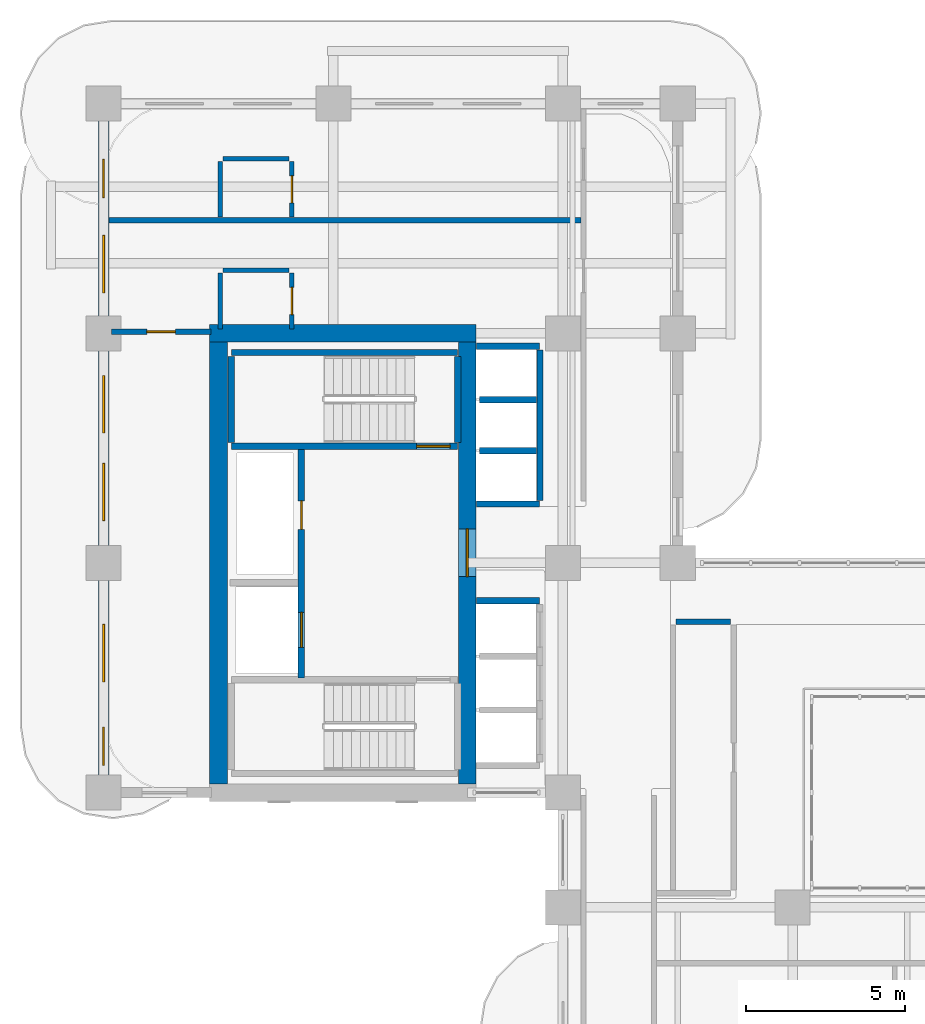
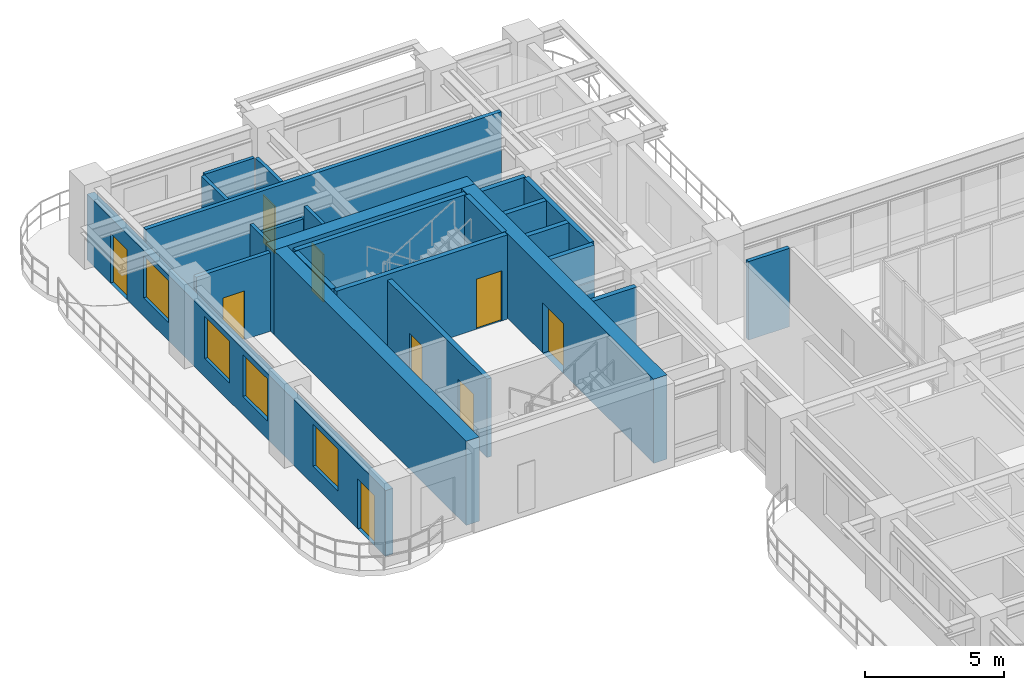
# One storey, part 16 of 22: 24 walls, 9 doors, 4 windows, 13 openings.
"""IFC4 building model written with IfcOpenShell, lengths in metres."""

from ifc_helpers import new_model, si_unit, derived_unit, direction, frame, frame_2d, origin, place, context, subcontext, project, spatial, rectangle, extrude, source, transform, mapped, material, layer, layer_set, type_object, type_shapes, element, fill, save


model = new_model("IFC4")

# Units and contexts
model_context = context("Model", 3, precision=1e-05, world=origin(), true_north=direction((0.0, 1.0)))
body_context = subcontext(model_context, "Body", "Model", "MODEL_VIEW")
ifc_project = project(units=[si_unit("LENGTHUNIT", "METRE"), si_unit("AREAUNIT", "SQUARE_METRE"), si_unit("VOLUMEUNIT", "CUBIC_METRE"), si_unit("PLANEANGLEUNIT", "RADIAN"), si_unit("MASSUNIT", "GRAM", prefix="KILO"), si_unit("THERMODYNAMICTEMPERATUREUNIT", "KELVIN"), si_unit("POWERUNIT", "WATT"), derived_unit("THERMALTRANSMITTANCEUNIT", [(si_unit("POWERUNIT", "WATT"), 1), (si_unit("AREAUNIT", "SQUARE_METRE"), -1), (si_unit("THERMODYNAMICTEMPERATUREUNIT", "KELVIN"), -1)])], contexts=[model_context])

# Site, building, storey
site_placement = place(None, origin())
site = spatial("IfcSite", under=ifc_project, at=site_placement, CompositionType="ELEMENT")
building_placement = place(site_placement, origin())
building = spatial("IfcBuilding", under=site, at=building_placement, Name="Zahravan Archway Hotel and Residences", CompositionType="ELEMENT")
storey_placement = place(building_placement, frame((0.0, 0.0, 84.199951171875)))
storey = spatial("IfcBuildingStorey", under=building, at=storey_placement, Name="L20", CompositionType="ELEMENT", Elevation=84.199951171875)

# Walls
ifc_material_1 = material(Name="Concrete C70/85", Category="concrete")
ifc_layer_1 = layer(ifc_material_1, 0.550048828125, Name="Concrete C70/85", Category="concrete")
ifc_layer_set_1 = layer_set([ifc_layer_1], Name="Concrete C70/85")
wall_type_1 = type_object("IfcWallType", Name="CW-CORE-550", PredefinedType="SHEAR", material=ifc_layer_set_1)
wall_1_placement = place(storey_placement, frame((3.324951171875, 39.60009765625, 0.0), z_axis=(0.0, 0.0, 1.0), x_axis=(1.0, 0.0, 0.0)))
element("IfcWall", 1, at=wall_1_placement, inside=storey, type_object=wall_type_1, Name="L20 Core B Shear N Wall 550 mm", PredefinedType="SHEAR", context=body_context, shape_type="SweptSolid", body=[
    extrude(rectangle(XDim=8.35009765625, YDim=0.550048828125, at=frame_2d((4.175048828125, 0.0))), origin(), (0.0, 0.0, 1.0), 3.699951171875),
])
wall_2_placement = place(storey_placement, frame((3.60009765625, 25.47509765625, 0.0), z_axis=(0.0, 0.0, 1.0), x_axis=(0.0, 1.0, 0.0)))
element("IfcWall", 2, at=wall_2_placement, inside=storey, type_object=wall_type_1, Name="L20 Core B Shear W Wall 550 mm", PredefinedType="SHEAR", context=body_context, shape_type="SweptSolid", body=[
    extrude(rectangle(XDim=13.849853515625, YDim=0.550048828125, at=frame_2d((6.9248046875, 0.0))), origin(), (0.0, 0.0, 1.0), 3.699951171875),
])

# Wall, opening, door
wall_3_placement = place(storey_placement, frame((11.39990234375, 25.47509765625, 0.0), z_axis=(0.0, 0.0, 1.0), x_axis=(0.0, 1.0, 0.0)))
wall_3 = element("IfcWall", 3, at=wall_3_placement, inside=storey, type_object=wall_type_1, Name="L20 Core B Shear E Wall 550 mm", PredefinedType="SHEAR", context=body_context, shape_type="SweptSolid", body=[
    extrude(rectangle(XDim=13.849853515625, YDim=0.550048828125, at=frame_2d((6.9248046875, 0.0))), origin(), (0.0, 0.0, 1.0), 3.699951171875),
])
opening_1_placement = place(wall_3_placement, frame((6.4951171875, 0.0, 0.0)))
opening_1 = element("IfcOpeningElement", 4, at=opening_1_placement, cuts=wall_3, Name="Opening FD-L1", PredefinedType="OPENING", context=body_context, shape_type="SweptSolid", body=[
    extrude(rectangle(XDim=1.5, YDim=2.199951171875, at=frame_2d((0.75, 1.10009765625))), frame((0.0, 0.28515625, 0.0), z_axis=(0.0, -1.0, 0.0), x_axis=(1.0, 0.0, 0.0)), (0.0, 0.0, 1.0), 0.570068359375),
])
ifc_material_2 = material(Name="Fire-Rated Painted Steel", Category="steel")
door_type_1 = type_object("IfcDoorType", Name="FD-LOBBY-1500", OperationType="DOUBLE_DOOR_SINGLE_SWING", PredefinedType="DOOR", material=ifc_material_2)
shared_shape_1 = source(origin(), body_context, "Body", "SweptSolid", [
    extrude(rectangle(XDim=1.5, YDim=2.199951171875, at=frame_2d((0.75, 1.10009765625))), frame((0.0, 0.02490234375, 0.0), z_axis=(0.0, -1.0, 0.0), x_axis=(1.0, 0.0, 0.0)), (0.0, 0.0, 1.0), 0.050048828125),
])
type_shapes(door_type_1, [shared_shape_1])
door_1_placement = place(opening_1_placement, origin())
door_1 = element("IfcDoor", 5, at=door_1_placement, inside=storey, type_object=door_type_1, Name="L20 Core B FSAE Lobby Door", OperationType="DOUBLE_DOOR_SINGLE_SWING", OverallHeight=2.199951171875, OverallWidth=1.5, PredefinedType="DOOR", context=body_context, shape_type="MappedRepresentation", body=[
    mapped(shared_shape_1, transform((0.0, 0.0, 0.0), scale=1.0)),
])
fill(opening_1, door_1)

# Wall, openings, doors, windows
ifc_material_3 = material(Name="Agra Buff Sandstone & Insulated Backup", Category="masonry")
ifc_layer_2 = layer(ifc_material_3, 0.320068359375, Name="Agra Buff Sandstone & Insulated Backup", Category="masonry")
ifc_layer_set_2 = layer_set([ifc_layer_2], Name="Agra Buff Sandstone & Insulated Backup")
wall_type_2 = type_object("IfcWallType", Name="EW-SAND-320", PredefinedType="SOLIDWALL", material=ifc_layer_set_2)
wall_4_placement = place(storey_placement, frame((0.0, 25.25, 0.0), z_axis=(0.0, 0.0, 1.0), x_axis=(0.0, 1.0, 0.0)))
wall_4 = element("IfcWall", 6, at=wall_4_placement, inside=storey, type_object=wall_type_2, Name="L20 Exterior Sandstone Wall WB-W", PredefinedType="SOLIDWALL", context=body_context, shape_type="SweptSolid", body=[
    extrude(rectangle(XDim=21.5, YDim=0.320068359375, at=frame_2d((10.75, 0.0))), origin(), (0.0, 0.0, 1.0), 2.885009765625),
])
opening_2_placement = place(wall_4_placement, frame((18.60693359375, 0.0, 0.0)))
opening_2 = element("IfcOpeningElement", 7, at=opening_2_placement, cuts=wall_4, Name="Opening ED-BL1", PredefinedType="OPENING", context=body_context, shape_type="SweptSolid", body=[
    extrude(rectangle(XDim=1.199951171875, YDim=2.199951171875, at=frame_2d((0.60009765625, 1.10009765625))), frame((0.0, 0.169921875, 0.0), z_axis=(0.0, -1.0, 0.0), x_axis=(1.0, 0.0, 0.0)), (0.0, 0.0, 1.0), 0.340087890625),
])
opening_3_placement = place(wall_4_placement, frame((0.800048828125, 0.0, 0.0)))
opening_3 = element("IfcOpeningElement", 8, at=opening_3_placement, cuts=wall_4, Name="Opening ED-BL1", PredefinedType="OPENING", context=body_context, shape_type="SweptSolid", body=[
    extrude(rectangle(XDim=1.199951171875, YDim=2.199951171875, at=frame_2d((0.60009765625, 1.10009765625))), frame((0.0, 0.169921875, 0.0), z_axis=(0.0, -1.0, 0.0), x_axis=(1.0, 0.0, 0.0)), (0.0, 0.0, 1.0), 0.340087890625),
])
opening_4_placement = place(wall_4_placement, frame((3.425048828125, 0.0, 0.800048828125)))
opening_4 = element("IfcOpeningElement", 9, at=opening_4_placement, cuts=wall_4, Name="Opening W-02", PredefinedType="OPENING", context=body_context, shape_type="SweptSolid", body=[
    extrude(rectangle(XDim=1.800048828125, YDim=1.85009765625, at=frame_2d((0.89990234375, 0.925048828125))), frame((0.0, 0.169921875, 0.0), z_axis=(0.0, -1.0, 0.0), x_axis=(1.0, 0.0, 0.0)), (0.0, 0.0, 1.0), 0.340087890625),
])
opening_5_placement = place(wall_4_placement, frame((8.47509765625, 0.0, 0.800048828125)))
opening_5 = element("IfcOpeningElement", 10, at=opening_5_placement, cuts=wall_4, Name="Opening W-02", PredefinedType="OPENING", context=body_context, shape_type="SweptSolid", body=[
    extrude(rectangle(XDim=1.800048828125, YDim=1.85009765625, at=frame_2d((0.89990234375, 0.925048828125))), frame((0.0, 0.169921875, 0.0), z_axis=(0.0, -1.0, 0.0), x_axis=(1.0, 0.0, 0.0)), (0.0, 0.0, 1.0), 0.340087890625),
])
opening_6_placement = place(wall_4_placement, frame((11.22509765625, 0.0, 0.800048828125)))
opening_6 = element("IfcOpeningElement", 11, at=opening_6_placement, cuts=wall_4, Name="Opening W-02", PredefinedType="OPENING", context=body_context, shape_type="SweptSolid", body=[
    extrude(rectangle(XDim=1.800048828125, YDim=1.85009765625, at=frame_2d((0.89990234375, 0.925048828125))), frame((0.0, 0.169921875, 0.0), z_axis=(0.0, -1.0, 0.0), x_axis=(1.0, 0.0, 0.0)), (0.0, 0.0, 1.0), 0.340087890625),
])
opening_7_placement = place(wall_4_placement, frame((15.62109375, 0.0, 0.800048828125)))
opening_7 = element("IfcOpeningElement", 12, at=opening_7_placement, cuts=wall_4, Name="Opening W-02", PredefinedType="OPENING", context=body_context, shape_type="SweptSolid", body=[
    extrude(rectangle(XDim=1.800048828125, YDim=1.85009765625, at=frame_2d((0.89990234375, 0.925048828125))), frame((0.0, 0.169921875, 0.0), z_axis=(0.0, -1.0, 0.0), x_axis=(1.0, 0.0, 0.0)), (0.0, 0.0, 1.0), 0.340087890625),
])
ifc_material_4 = material(Name="Bronze-Anodized Glazed Aluminium", Category="aluminium")
door_type_2 = type_object("IfcDoorType", Name="ED-BALC-1200", OperationType="SLIDING_TO_LEFT", PredefinedType="DOOR", material=ifc_material_4)
shared_shape_2 = source(origin(), body_context, "Body", "SweptSolid", [
    extrude(rectangle(XDim=1.199951171875, YDim=2.199951171875, at=frame_2d((0.60009765625, 1.10009765625))), frame((0.0, 0.02490234375, 0.0), z_axis=(0.0, -1.0, 0.0), x_axis=(1.0, 0.0, 0.0)), (0.0, 0.0, 1.0), 0.050048828125),
])
type_shapes(door_type_2, [shared_shape_2])
door_2_placement = place(opening_2_placement, origin())
door_2 = element("IfcDoor", 13, at=door_2_placement, inside=storey, type_object=door_type_2, Name="L20 Outdoor Access Sliding Door (SLB-BAL-L20-NB)", OperationType="SLIDING_TO_LEFT", OverallHeight=2.199951171875, OverallWidth=1.199951171875, PredefinedType="DOOR", context=body_context, shape_type="MappedRepresentation", body=[
    mapped(shared_shape_2, transform((0.0, 0.0, 0.0), scale=1.0)),
])
fill(opening_2, door_2)
door_3_placement = place(opening_3_placement, origin())
door_3 = element("IfcDoor", 14, at=door_3_placement, inside=storey, type_object=door_type_2, Name="L20 Outdoor Access Sliding Door (SLB-BAL-L20-WB)", OperationType="SLIDING_TO_LEFT", OverallHeight=2.199951171875, OverallWidth=1.199951171875, PredefinedType="DOOR", context=body_context, shape_type="MappedRepresentation", body=[
    mapped(shared_shape_2, transform((0.0, 0.0, 0.0), scale=1.0)),
])
fill(opening_3, door_3)
ifc_material_5 = material(Name="Bronze-Anodized Thermal-Break Aluminium & Low-E Glass", Category="aluminium")
window_type = type_object("IfcWindowType", Name="WIN-TWR-1800", PartitioningType="DOUBLE_PANEL_VERTICAL", PredefinedType="WINDOW", material=ifc_material_5)
shared_shape_3 = source(origin(), body_context, "Body", "SweptSolid", [
    extrude(rectangle(XDim=1.800048828125, YDim=1.85009765625, at=frame_2d((0.89990234375, 0.925048828125))), frame((0.0, 0.030029296875, 0.0), z_axis=(0.0, -1.0, 0.0), x_axis=(1.0, 0.0, 0.0)), (0.0, 0.0, 1.0), 0.06005859375),
])
type_shapes(window_type, [shared_shape_3])
window_1_placement = place(opening_4_placement, origin())
window_1 = element("IfcWindow", 15, at=window_1_placement, inside=storey, type_object=window_type, Name="L20 Loggia Window 29", OverallHeight=1.85009765625, OverallWidth=1.800048828125, PartitioningType="DOUBLE_PANEL_VERTICAL", PredefinedType="WINDOW", context=body_context, shape_type="MappedRepresentation", body=[
    mapped(shared_shape_3, transform((0.0, 0.0, 0.0), scale=1.0)),
])
fill(opening_4, window_1)
window_2_placement = place(opening_5_placement, origin())
window_2 = element("IfcWindow", 16, at=window_2_placement, inside=storey, type_object=window_type, Name="L20 Loggia Window 30", OverallHeight=1.85009765625, OverallWidth=1.800048828125, PartitioningType="DOUBLE_PANEL_VERTICAL", PredefinedType="WINDOW", context=body_context, shape_type="MappedRepresentation", body=[
    mapped(shared_shape_3, transform((0.0, 0.0, 0.0), scale=1.0)),
])
fill(opening_5, window_2)
window_3_placement = place(opening_6_placement, origin())
window_3 = element("IfcWindow", 17, at=window_3_placement, inside=storey, type_object=window_type, Name="L20 Loggia Window 31", OverallHeight=1.85009765625, OverallWidth=1.800048828125, PartitioningType="DOUBLE_PANEL_VERTICAL", PredefinedType="WINDOW", context=body_context, shape_type="MappedRepresentation", body=[
    mapped(shared_shape_3, transform((0.0, 0.0, 0.0), scale=1.0)),
])
fill(opening_6, window_3)
window_4_placement = place(opening_7_placement, origin())
window_4 = element("IfcWindow", 18, at=window_4_placement, inside=storey, type_object=window_type, Name="L20 Loggia Window 32", OverallHeight=1.85009765625, OverallWidth=1.800048828125, PartitioningType="DOUBLE_PANEL_VERTICAL", PredefinedType="WINDOW", context=body_context, shape_type="MappedRepresentation", body=[
    mapped(shared_shape_3, transform((0.0, 0.0, 0.0), scale=1.0)),
])
fill(opening_7, window_4)

# Wall, openings, doors
ifc_material_6 = material(Name="Fire-Rated Gypsum & Concrete Block", Category="concrete")
ifc_layer_3 = layer(ifc_material_6, 0.199951171875, Name="Fire-Rated Gypsum & Concrete Block", Category="concrete")
ifc_layer_set_3 = layer_set([ifc_layer_3], Name="Fire-Rated Gypsum & Concrete Block")
wall_type_3 = type_object("IfcWallType", Name="PW-SHAFT-200", PredefinedType="PARTITIONING", material=ifc_layer_set_3)
wall_5_placement = place(storey_placement, frame((6.199951171875, 28.7900390625, 0.0), z_axis=(0.0, 0.0, 1.0), x_axis=(0.0, 1.0, 0.0)))
wall_5 = element("IfcWall", 19, at=wall_5_placement, inside=storey, type_object=wall_type_3, Name="L20 Partition CB-FL3E", PredefinedType="PARTITIONING", context=body_context, shape_type="SweptSolid", body=[
    extrude(rectangle(XDim=7.219970703125, YDim=0.199951171875, at=frame_2d((3.60986328125, 0.0))), origin(), (0.0, 0.0, 1.0), 3.449951171875),
])
opening_8_placement = place(wall_5_placement, frame((4.659912109375, 0.0, 0.0)))
opening_8 = element("IfcOpeningElement", 20, at=opening_8_placement, cuts=wall_5, Name="Opening FD-R1", PredefinedType="OPENING", context=body_context, shape_type="SweptSolid", body=[
    extrude(rectangle(XDim=0.89990234375, YDim=2.10009765625, at=frame_2d((0.449951171875, 1.050048828125))), frame((0.0, 0.10986328125, 0.0), z_axis=(0.0, -1.0, 0.0), x_axis=(1.0, 0.0, 0.0)), (0.0, 0.0, 1.0), 0.219970703125),
])
opening_9_placement = place(wall_5_placement, frame((0.9599609375, 0.0, 0.0)))
opening_9 = element("IfcOpeningElement", 21, at=opening_9_placement, cuts=wall_5, Name="Opening LD", PredefinedType="OPENING", context=body_context, shape_type="SweptSolid", body=[
    extrude(rectangle(XDim=1.10009765625, YDim=2.199951171875, at=frame_2d((0.550048828125, 1.10009765625))), frame((0.0, 0.10986328125, 0.0), z_axis=(0.0, -1.0, 0.0), x_axis=(1.0, 0.0, 0.0)), (0.0, 0.0, 1.0), 0.219970703125),
])
door_type_3 = type_object("IfcDoorType", Name="FD-RISER-900", OperationType="NOTDEFINED", PredefinedType="DOOR", material=ifc_material_2)
shared_shape_4 = source(origin(), body_context, "Body", "SweptSolid", [
    extrude(rectangle(XDim=0.89990234375, YDim=2.10009765625, at=frame_2d((0.449951171875, 1.050048828125))), frame((0.0, 0.02490234375, 0.0), z_axis=(0.0, -1.0, 0.0), x_axis=(1.0, 0.0, 0.0)), (0.0, 0.0, 1.0), 0.050048828125),
])
type_shapes(door_type_3, [shared_shape_4])
door_4_placement = place(opening_8_placement, origin())
door_4 = element("IfcDoor", 22, at=door_4_placement, inside=storey, type_object=door_type_3, Name="L20 Core B Riser Door", OperationType="SINGLE_SWING_LEFT", OverallHeight=2.10009765625, OverallWidth=0.89990234375, PredefinedType="DOOR", context=body_context, shape_type="MappedRepresentation", body=[
    mapped(shared_shape_4, transform((0.0, 0.0, 0.0), scale=1.0)),
])
fill(opening_8, door_4)
ifc_material_7 = material(Name="Brushed Stainless Steel", Category="steel")
door_type_4 = type_object("IfcDoorType", Name="DR-LIFT-LD", OperationType="SLIDING_TO_LEFT", PredefinedType="DOOR", material=ifc_material_7)
shared_shape_5 = source(origin(), body_context, "Body", "SweptSolid", [
    extrude(rectangle(XDim=1.10009765625, YDim=2.199951171875, at=frame_2d((0.550048828125, 1.10009765625))), frame((0.0, 0.02490234375, 0.0), z_axis=(0.0, -1.0, 0.0), x_axis=(1.0, 0.0, 0.0)), (0.0, 0.0, 1.0), 0.050048828125),
])
type_shapes(door_type_4, [shared_shape_5])
door_5_placement = place(opening_9_placement, origin())
door_5 = element("IfcDoor", 23, at=door_5_placement, inside=storey, type_object=door_type_4, Name="L20 Lift FL-3 Sliding Landing Door", OperationType="SLIDING_TO_LEFT", OverallHeight=2.199951171875, OverallWidth=1.10009765625, PredefinedType="DOOR", context=body_context, shape_type="MappedRepresentation", body=[
    mapped(shared_shape_5, transform((0.0, 0.0, 0.0), scale=1.0)),
])
fill(opening_9, door_5)

# Walls
for number, where, z_axis, x_axis, name in (
    (24, (11.68505859375, 31.2099609375, 0.0), (0.0, 0.0, 1.0), (1.0, 0.0, 0.0), "L20 Partition B1-N"),
    (25, (11.68505859375, 34.25, 0.0), (0.0, 0.0, 1.0), (1.0, 0.0, 0.0), "L20 Partition B2-S"),
    (26, (11.68505859375, 39.18994140625, 0.0), (0.0, 0.0, 1.0), (1.0, 0.0, 0.0), "L20 Partition B2-N"),
):
    element("IfcWall", number, at=place(storey_placement, frame(where, z_axis=z_axis, x_axis=x_axis)), inside=storey, type_object=wall_type_3, Name=name, PredefinedType="PARTITIONING", context=body_context, shape_type="SweptSolid", body=[
        extrude(rectangle(XDim=1.98486328125, YDim=0.199951171875, at=frame_2d((0.992431640625, 0.0))), origin(), (0.0, 0.0, 1.0), 3.449951171875),
    ])
wall_6_placement = place(storey_placement, frame((13.679931640625, 34.360107421875, 0.0), z_axis=(0.0, 0.0, 1.0), x_axis=(0.0, 1.0, 0.0)))
element("IfcWall", 27, at=wall_6_placement, inside=storey, type_object=wall_type_3, Name="L20 Partition B2-E", PredefinedType="PARTITIONING", context=body_context, shape_type="SweptSolid", body=[
    extrude(rectangle(XDim=4.719970703125, YDim=0.199951171875, at=frame_2d((2.35986328125, 0.0))), origin(), (0.0, 0.0, 1.0), 3.449951171875),
])
for number, where, z_axis, x_axis, name in (
    (28, (11.784912109375, 35.919921875, 0.0), (0.0, 0.0, 1.0), (1.0, 0.0, 0.0), "L20 Partition B2-D"),
    (29, (11.784912109375, 37.52001953125, 0.0), (0.0, 0.0, 1.0), (1.0, 0.0, 0.0), "L20 Partition B2-D"),
):
    element("IfcWall", number, at=place(storey_placement, frame(where, z_axis=z_axis, x_axis=x_axis)), inside=storey, type_object=wall_type_3, Name=name, PredefinedType="PARTITIONING", context=body_context, shape_type="SweptSolid", body=[
        extrude(rectangle(XDim=1.78515625, YDim=0.199951171875, at=frame_2d((0.892578125, 0.0))), origin(), (0.0, 0.0, 1.0), 3.449951171875),
    ])

# Wall, opening, door
ifc_material_8 = material(Name="Acoustic Stud Partition")
ifc_layer_4 = layer(ifc_material_8, 0.169921875, Name="Acoustic Stud Partition")
ifc_layer_set_4 = layer_set([ifc_layer_4], Name="Acoustic Stud Partition")
wall_type_4 = type_object("IfcWallType", Name="PW-UNIT-170", PredefinedType="PARTITIONING", material=ifc_layer_set_4)
wall_7_placement = place(storey_placement, frame((0.239990234375, 39.64990234375, 0.0), z_axis=(0.0, 0.0, 1.0), x_axis=(1.0, 0.0, 0.0)))
wall_7 = element("IfcWall", 30, at=wall_7_placement, inside=storey, type_object=wall_type_4, Name="L20 Partition WBW-N", PredefinedType="PARTITIONING", context=body_context, shape_type="SweptSolid", body=[
    extrude(rectangle(XDim=3.1201171875, YDim=0.169921875, at=frame_2d((1.56005859375, 0.0))), origin(), (0.0, 0.0, 1.0), 3.449951171875),
])
opening_10_placement = place(wall_7_placement, frame((1.110107421875, 0.0, 0.0)))
opening_10 = element("IfcOpeningElement", 31, at=opening_10_placement, cuts=wall_7, Name="Opening D-I2", PredefinedType="OPENING", context=body_context, shape_type="SweptSolid", body=[
    extrude(rectangle(XDim=0.89990234375, YDim=2.14990234375, at=frame_2d((0.449951171875, 1.074951171875))), frame((0.0, 0.094970703125, 0.0), z_axis=(0.0, -1.0, 0.0), x_axis=(1.0, 0.0, 0.0)), (0.0, 0.0, 1.0), 0.18994140625),
])
ifc_material_9 = material(Name="Hardwood Veneer Timber", Category="wood")
door_type_5 = type_object("IfcDoorType", Name="ID-INT-900", OperationType="NOTDEFINED", PredefinedType="DOOR", material=ifc_material_9)
shared_shape_6 = source(origin(), body_context, "Body", "SweptSolid", [
    extrude(rectangle(XDim=0.89990234375, YDim=2.14990234375, at=frame_2d((0.449951171875, 1.074951171875))), frame((0.0, 0.02490234375, 0.0), z_axis=(0.0, -1.0, 0.0), x_axis=(1.0, 0.0, 0.0)), (0.0, 0.0, 1.0), 0.050048828125),
])
type_shapes(door_type_5, [shared_shape_6])
door_6_placement = place(opening_10_placement, origin())
door_6 = element("IfcDoor", 32, at=door_6_placement, inside=storey, type_object=door_type_5, Name="L20 West Loggia Salon Door", OperationType="SINGLE_SWING_RIGHT", OverallHeight=2.14990234375, OverallWidth=0.89990234375, PredefinedType="DOOR", context=body_context, shape_type="MappedRepresentation", body=[
    mapped(shared_shape_6, transform((0.0, 0.0, 0.0), scale=1.0)),
])
fill(opening_10, door_6)

# Walls
wall_8_placement = place(storey_placement, frame((0.16796875, 43.14990234375, 0.0), z_axis=(0.0, 0.0, 1.0), x_axis=(1.0, 0.0, 0.0)))
element("IfcWall", 33, at=wall_8_placement, inside=storey, type_object=wall_type_4, Name="L20 Partition WBN-M0", PredefinedType="PARTITIONING", context=body_context, shape_type="SweptSolid", body=[
    extrude(rectangle(XDim=14.7919921875, YDim=0.169921875, at=frame_2d((7.39599609375, 0.0))), origin(), (0.0, 0.0, 1.0), 3.449951171875),
])
wall_9_placement = place(storey_placement, frame((17.93994140625, 30.550048828125, 0.0), z_axis=(0.0, 0.0, 1.0), x_axis=(1.0, 0.0, 0.0)))
element("IfcWall", 34, at=wall_9_placement, inside=storey, type_object=wall_type_4, Name="L20 Partition ATR-WLN", PredefinedType="PARTITIONING", context=body_context, shape_type="SweptSolid", body=[
    extrude(rectangle(XDim=1.719970703125, YDim=0.169921875, at=frame_2d((0.85986328125, 0.0))), origin(), (0.0, 0.0, 1.0), 3.449951171875),
])
ifc_material_10 = material(Name="Moisture-Resistant Blockwork", Category="masonry")
ifc_layer_5 = layer(ifc_material_10, 0.139892578125, Name="Moisture-Resistant Blockwork", Category="masonry")
ifc_layer_set_5 = layer_set([ifc_layer_5], Name="Moisture-Resistant Blockwork")
wall_type_5 = type_object("IfcWallType", Name="PW-WET-140", PredefinedType="PARTITIONING", material=ifc_layer_set_5)
wall_10_placement = place(storey_placement, frame((3.64990234375, 39.739990234375, 0.0), z_axis=(0.0, 0.0, 1.0), x_axis=(0.0, 1.0, 0.0)))
element("IfcWall", 35, at=wall_10_placement, inside=storey, type_object=wall_type_5, Name="L20 Partition HKB-VL76", PredefinedType="PARTITIONING", context=body_context, shape_type="SweptSolid", body=[
    extrude(rectangle(XDim=1.7451171875, YDim=0.139892578125, at=frame_2d((0.87255859375, 0.0))), origin(), (0.0, 0.0, 1.0), 3.449951171875),
])
wall_11_placement = place(storey_placement, frame((3.739990234375, 41.574951171875, 0.0), z_axis=(0.0, 0.0, 1.0), x_axis=(1.0, 0.0, 0.0)))
element("IfcWall", 36, at=wall_11_placement, inside=storey, type_object=wall_type_5, Name="L20 Partition HKB-H76", PredefinedType="PARTITIONING", context=body_context, shape_type="SweptSolid", body=[
    extrude(rectangle(XDim=2.070068359375, YDim=0.139892578125, at=frame_2d((1.03515625, 0.0))), origin(), (0.0, 0.0, 1.0), 2.885009765625),
])

# Wall, opening, door
wall_12_placement = place(storey_placement, frame((5.89990234375, 39.739990234375, 0.0), z_axis=(0.0, 0.0, 1.0), x_axis=(0.0, 1.0, 0.0)))
wall_12 = element("IfcWall", 37, at=wall_12_placement, inside=storey, type_object=wall_type_5, Name="L20 Partition HKB-V76", PredefinedType="PARTITIONING", context=body_context, shape_type="SweptSolid", body=[
    extrude(rectangle(XDim=1.7451171875, YDim=0.139892578125, at=frame_2d((0.87255859375, 0.0))), origin(), (0.0, 0.0, 1.0), 3.449951171875),
])
opening_11_placement = place(wall_12_placement, frame((0.447509765625, 0.0, 0.0)))
opening_11 = element("IfcOpeningElement", 38, at=opening_11_placement, cuts=wall_12, Name="Opening D-B1", PredefinedType="OPENING", context=body_context, shape_type="SweptSolid", body=[
    extrude(rectangle(XDim=0.85009765625, YDim=2.10009765625, at=frame_2d((0.425048828125, 1.050048828125))), frame((0.0, 0.080078125, 0.0), z_axis=(0.0, -1.0, 0.0), x_axis=(1.0, 0.0, 0.0)), (0.0, 0.0, 1.0), 0.159912109375),
])
door_type_6 = type_object("IfcDoorType", Name="ID-BATH-850", OperationType="NOTDEFINED", PredefinedType="DOOR", material=ifc_material_9)
shared_shape_7 = source(origin(), body_context, "Body", "SweptSolid", [
    extrude(rectangle(XDim=0.85009765625, YDim=2.10009765625, at=frame_2d((0.425048828125, 1.050048828125))), frame((0.0, 0.02490234375, 0.0), z_axis=(0.0, -1.0, 0.0), x_axis=(1.0, 0.0, 0.0)), (0.0, 0.0, 1.0), 0.050048828125),
])
type_shapes(door_type_6, [shared_shape_7])
door_7_placement = place(opening_11_placement, origin())
door_7 = element("IfcDoor", 39, at=door_7_placement, inside=storey, type_object=door_type_6, Name="L20 Guestroom 76 En-Suite Door", OperationType="SINGLE_SWING_LEFT", OverallHeight=2.10009765625, OverallWidth=0.85009765625, PredefinedType="DOOR", context=body_context, shape_type="MappedRepresentation", body=[
    mapped(shared_shape_7, transform((0.0, 0.0, 0.0), scale=1.0)),
])
fill(opening_11, door_7)

# Walls
wall_13_placement = place(storey_placement, frame((3.64990234375, 43.239990234375, 0.0), z_axis=(0.0, 0.0, 1.0), x_axis=(0.0, 1.0, 0.0)))
element("IfcWall", 40, at=wall_13_placement, inside=storey, type_object=wall_type_5, Name="L20 Partition HKB-VL77", PredefinedType="PARTITIONING", context=body_context, shape_type="SweptSolid", body=[
    extrude(rectangle(XDim=1.7451171875, YDim=0.139892578125, at=frame_2d((0.87255859375, 0.0))), origin(), (0.0, 0.0, 1.0), 3.449951171875),
])
wall_14_placement = place(storey_placement, frame((3.739990234375, 45.074951171875, 0.0), z_axis=(0.0, 0.0, 1.0), x_axis=(1.0, 0.0, 0.0)))
element("IfcWall", 41, at=wall_14_placement, inside=storey, type_object=wall_type_5, Name="L20 Partition HKB-H77", PredefinedType="PARTITIONING", context=body_context, shape_type="SweptSolid", body=[
    extrude(rectangle(XDim=2.070068359375, YDim=0.139892578125, at=frame_2d((1.03515625, 0.0))), origin(), (0.0, 0.0, 1.0), 3.449951171875),
])

# Wall, opening, door
wall_15_placement = place(storey_placement, frame((5.89990234375, 43.239990234375, 0.0), z_axis=(0.0, 0.0, 1.0), x_axis=(0.0, 1.0, 0.0)))
wall_15 = element("IfcWall", 42, at=wall_15_placement, inside=storey, type_object=wall_type_5, Name="L20 Partition HKB-V77", PredefinedType="PARTITIONING", context=body_context, shape_type="SweptSolid", body=[
    extrude(rectangle(XDim=1.7451171875, YDim=0.139892578125, at=frame_2d((0.87255859375, 0.0))), origin(), (0.0, 0.0, 1.0), 3.449951171875),
])
opening_12_placement = place(wall_15_placement, frame((0.447509765625, 0.0, 0.0)))
opening_12 = element("IfcOpeningElement", 43, at=opening_12_placement, cuts=wall_15, Name="Opening D-B1", PredefinedType="OPENING", context=body_context, shape_type="SweptSolid", body=[
    extrude(rectangle(XDim=0.85009765625, YDim=2.10009765625, at=frame_2d((0.425048828125, 1.050048828125))), frame((0.0, 0.080078125, 0.0), z_axis=(0.0, -1.0, 0.0), x_axis=(1.0, 0.0, 0.0)), (0.0, 0.0, 1.0), 0.159912109375),
])
door_8_placement = place(opening_12_placement, origin())
door_8 = element("IfcDoor", 44, at=door_8_placement, inside=storey, type_object=door_type_6, Name="L20 Guestroom 77 En-Suite Door", OperationType="SINGLE_SWING_LEFT", OverallHeight=2.10009765625, OverallWidth=0.85009765625, PredefinedType="DOOR", context=body_context, shape_type="MappedRepresentation", body=[
    mapped(shared_shape_7, transform((0.0, 0.0, 0.0), scale=1.0)),
])
fill(opening_12, door_8)

# Walls
ifc_material_11 = material(Name="Concrete C50/60", Category="concrete")
ifc_layer_6 = layer(ifc_material_11, 0.199951171875, Name="Concrete C50/60", Category="concrete")
ifc_layer_set_6 = layer_set([ifc_layer_6], Name="Concrete C50/60")
wall_type_6 = type_object("IfcWallType", Name="SW-STAIR-200", PredefinedType="SHEAR", material=ifc_layer_set_6)
wall_16_placement = place(storey_placement, frame((4.0, 39.0, 0.0), z_axis=(0.0, 0.0, 1.0), x_axis=(1.0, 0.0, 0.0)))
element("IfcWall", 45, at=wall_16_placement, inside=storey, type_object=wall_type_6, Name="L20 Stairwell RC Wall CB-SB2N", PredefinedType="SHEAR", context=body_context, shape_type="SweptSolid", body=[
    extrude(rectangle(XDim=7.10009765625, YDim=0.199951171875, at=frame_2d((3.550048828125, 0.0))), origin(), (0.0, 0.0, 1.0), 3.699951171875),
])
for number, where, z_axis, x_axis, name in (
    (46, (4.0, 36.179931640625, 0.0), (0.0, 0.0, 1.0), (0.0, 1.0, 0.0), "L20 Stairwell RC Wall CB-SB2W"),
    (47, (11.10009765625, 36.179931640625, 0.0), (0.0, 0.0, 1.0), (0.0, 1.0, 0.0), "L20 Stairwell RC Wall CB-SB2E"),
):
    element("IfcWall", number, at=place(storey_placement, frame(where, z_axis=z_axis, x_axis=x_axis)), inside=storey, type_object=wall_type_6, Name=name, PredefinedType="SHEAR", context=body_context, shape_type="SweptSolid", body=[
        extrude(rectangle(XDim=2.699951171875, YDim=0.199951171875, at=frame_2d((1.35009765625, 0.0))), origin(), (0.0, 0.0, 1.0), 3.699951171875),
    ])

# Wall, opening, door
wall_17_placement = place(storey_placement, frame((4.0, 36.06005859375, 0.0), z_axis=(0.0, 0.0, 1.0), x_axis=(1.0, 0.0, 0.0)))
wall_17 = element("IfcWall", 48, at=wall_17_placement, inside=storey, type_object=wall_type_6, Name="L20 Stairwell RC Wall CB-SB2S", PredefinedType="SHEAR", context=body_context, shape_type="SweptSolid", body=[
    extrude(rectangle(XDim=7.10009765625, YDim=0.199951171875, at=frame_2d((3.550048828125, 0.0))), origin(), (0.0, 0.0, 1.0), 3.699951171875),
])
opening_13_placement = place(wall_17_placement, frame((5.81494140625, 0.0, 0.0)))
opening_13 = element("IfcOpeningElement", 49, at=opening_13_placement, cuts=wall_17, Name="Opening FD-S1", PredefinedType="OPENING", context=body_context, shape_type="SweptSolid", body=[
    extrude(rectangle(XDim=1.050048828125, YDim=2.199951171875, at=frame_2d((0.52490234375, 1.10009765625))), frame((0.0, 0.10986328125, 0.0), z_axis=(0.0, -1.0, 0.0), x_axis=(1.0, 0.0, 0.0)), (0.0, 0.0, 1.0), 0.219970703125),
])
door_type_7 = type_object("IfcDoorType", Name="FD-STAIR-1100", OperationType="NOTDEFINED", PredefinedType="DOOR", material=ifc_material_2)
shared_shape_8 = source(origin(), body_context, "Body", "SweptSolid", [
    extrude(rectangle(XDim=1.050048828125, YDim=2.199951171875, at=frame_2d((0.52490234375, 1.10009765625))), frame((0.0, 0.02490234375, 0.0), z_axis=(0.0, -1.0, 0.0), x_axis=(1.0, 0.0, 0.0)), (0.0, 0.0, 1.0), 0.050048828125),
])
type_shapes(door_type_7, [shared_shape_8])
door_9_placement = place(opening_13_placement, origin())
door_9 = element("IfcDoor", 50, at=door_9_placement, inside=storey, type_object=door_type_7, Name="L20 Stair ST-B2 Door", OperationType="SINGLE_SWING_RIGHT", OverallHeight=2.199951171875, OverallWidth=1.050048828125, PredefinedType="DOOR", context=body_context, shape_type="MappedRepresentation", body=[
    mapped(shared_shape_8, transform((0.0, 0.0, 0.0), scale=1.0)),
])
fill(opening_13, door_9)

save(model, "model.ifc")
